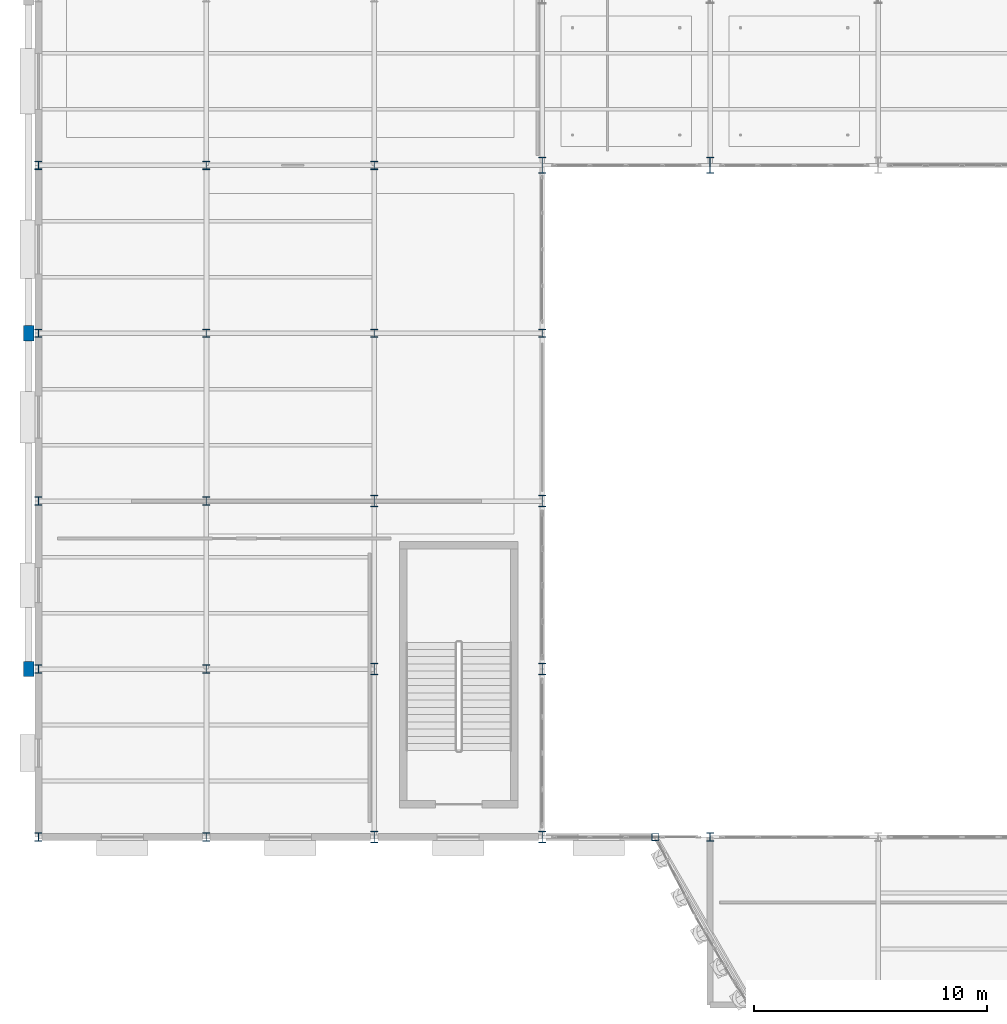
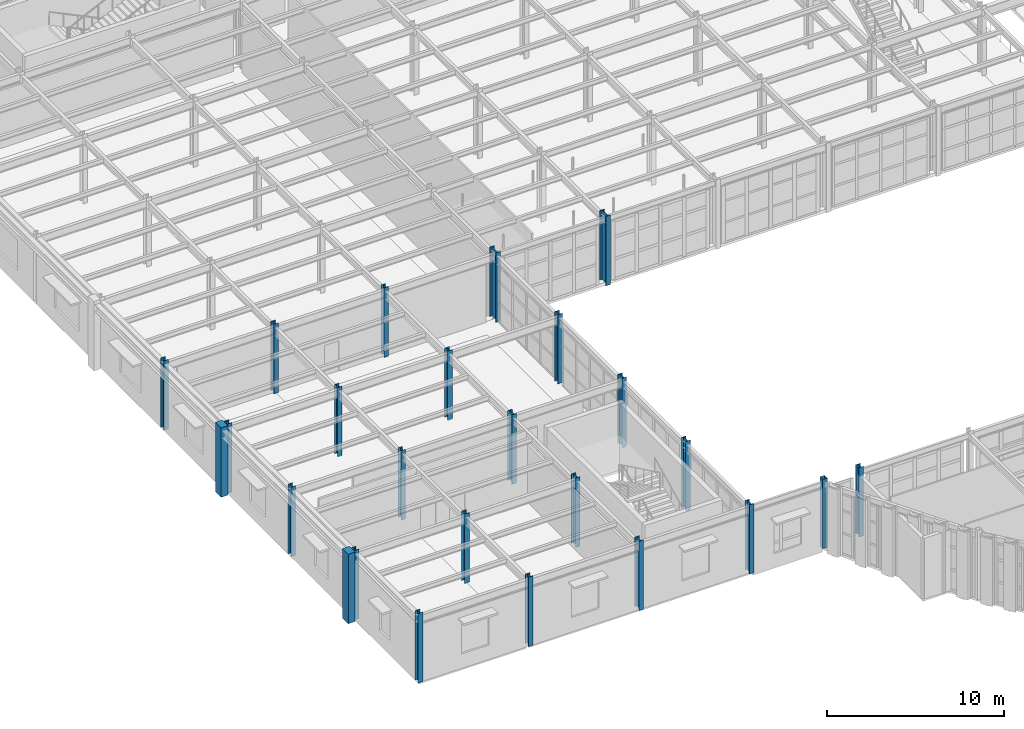
# One storey, part 2 of 121: 25 columns.
"""IFC4 building model written with IfcOpenShell, lengths in metres."""

from ifc_helpers import new_model, si_unit, direction, frame, origin, origin_2d, place, context, subcontext, project, spatial, rectangle, hollow_rectangle, i_section, extrude, material, material_profile, profile_set, type_object, element, save


model = new_model("IFC4")

# Units and contexts
model_context = context("Model", 3, precision=1e-05, world=origin(), true_north=direction((0.0, 1.0)))
body_context = subcontext(model_context, "Body", "Model", "MODEL_VIEW")
ifc_project = project(units=[si_unit("LENGTHUNIT", "METRE"), si_unit("AREAUNIT", "SQUARE_METRE"), si_unit("VOLUMEUNIT", "CUBIC_METRE"), si_unit("PLANEANGLEUNIT", "RADIAN"), si_unit("MASSUNIT", "GRAM", prefix="KILO")], contexts=[model_context])

# Site, building, storey
site_placement = place(None, origin())
site = spatial("IfcSite", under=ifc_project, at=site_placement, CompositionType="ELEMENT")
building_placement = place(site_placement, origin())
building = spatial("IfcBuilding", under=site, at=building_placement, Name="Solvadek Multi-Sports Hall", CompositionType="ELEMENT")
storey_placement = place(building_placement, frame((0.0, 0.0, 4.800048828125)))
storey = spatial("IfcBuildingStorey", under=building, at=storey_placement, Name="L01", CompositionType="ELEMENT", Elevation=4.800048828125)

# Columns
ifc_material_1 = material(Name="Steel E350 (350 MPa)", Category="steel")
ifc_material_profile_1 = material_profile(ifc_material_1, hollow_rectangle(XDim=0.300048828125, YDim=0.300048828125, WallThickness=0.012451171875, at=origin_2d()), Name="SHS 300x300x12.5")
ifc_profile_set_1 = profile_set([ifc_material_profile_1], Name="Steel E350 (350 MPa)")
column_type_1 = type_object("IfcColumnType", Name="STR-COL-SHS300", PredefinedType="COLUMN", material=ifc_profile_set_1)
column_placement = place(storey_placement, frame((26.45458984375, 20.39990234375, 0.0), z_axis=(0.0, 0.0, 1.0), x_axis=(1.0, 0.0, 0.0)))
element("IfcColumn", 1, at=column_placement, inside=storey, type_object=column_type_1, Name="L01 Column C-10 #266", PredefinedType="COLUMN", context=body_context, shape_type="SweptSolid", body=[
    extrude(hollow_rectangle(XDim=0.300048828125, YDim=0.300048828125, WallThickness=0.012451171875, at=origin_2d()), origin(), (0.0, 0.0, 1.0), 4.800048828125),
])
ifc_material_profile_2 = material_profile(ifc_material_1, i_section(OverallWidth=0.300048828125, OverallDepth=0.360107421875, WebThickness=0.012451171875, FlangeThickness=0.0224609375, at=origin_2d()), Name="WPB 360")
ifc_profile_set_2 = profile_set([ifc_material_profile_2], Name="Steel E350 (350 MPa)")
column_type_2 = type_object("IfcColumnType", Name="STR-COL-WPB360", PredefinedType="COLUMN", material=ifc_profile_set_2)
for number, where, z_axis, x_axis, name in (
    (2, (0.0, 20.39990234375, 0.0), (0.0, 0.0, 1.0), (1.0, 0.0, 0.0), "L01 Column C-08 #1"),
    (3, (0.0, 27.60009765625, 0.0), (0.0, 0.0, 1.0), (1.0, 0.0, 0.0), "L01 Column C-08 #2"),
    (4, (0.0, 34.800048828125, 0.0), (0.0, 0.0, 1.0), (1.0, 0.0, 0.0), "L01 Column C-08 #3"),
    (5, (0.0, 42.0, 0.0), (0.0, 0.0, 1.0), (1.0, 0.0, 0.0), "L01 Column C-08 #4"),
    (6, (0.0, 49.199951171875, 0.0), (0.0, 0.0, 1.0), (1.0, 0.0, 0.0), "L01 Column C-08 #5"),
    (7, (7.199951171875, 20.39990234375, 0.0), (0.0, 0.0, 1.0), (1.0, 0.0, 0.0), "L01 Column C-08 #14"),
    (8, (7.199951171875, 27.60009765625, 0.0), (0.0, 0.0, 1.0), (1.0, 0.0, 0.0), "L01 Column C-08 #15"),
    (9, (7.199951171875, 34.800048828125, 0.0), (0.0, 0.0, 1.0), (1.0, 0.0, 0.0), "L01 Column C-08 #16"),
    (10, (7.199951171875, 42.0, 0.0), (0.0, 0.0, 1.0), (1.0, 0.0, 0.0), "L01 Column C-08 #17"),
    (11, (7.199951171875, 49.199951171875, 0.0), (0.0, 0.0, 1.0), (1.0, 0.0, 0.0), "L01 Column C-08 #18"),
    (12, (14.39990234375, 42.0, 0.0), (0.0, 0.0, 1.0), (1.0, 0.0, 0.0), "L01 Column C-08 #30"),
    (13, (14.39990234375, 49.199951171875, 0.0), (0.0, 0.0, 1.0), (1.0, 0.0, 0.0), "L01 Column C-08 #31"),
    (14, (21.60009765625, 42.0, 0.0), (0.0, 0.0, 1.0), (1.0, 0.0, 0.0), "L01 Column C-08 #43"),
    (15, (28.800048828125, 20.39990234375, 0.0), (0.0, 0.0, 1.0), (1.0, 0.0, 0.0), "L01 Column C-08 #53"),
):
    element("IfcColumn", number, at=place(storey_placement, frame(where, z_axis=z_axis, x_axis=x_axis)), inside=storey, type_object=column_type_2, Name=name, PredefinedType="COLUMN", context=body_context, shape_type="SweptSolid", body=[
        extrude(i_section(OverallWidth=0.300048828125, OverallDepth=0.360107421875, WebThickness=0.012451171875, FlangeThickness=0.0224609375, at=origin_2d()), origin(), (0.0, 0.0, 1.0), 4.800048828125),
    ])
ifc_material_profile_3 = material_profile(ifc_material_1, i_section(OverallWidth=0.300048828125, OverallDepth=0.5, WebThickness=0.014404296875, FlangeThickness=0.028076171875, at=origin_2d()), Name="WPB 500")
ifc_profile_set_3 = profile_set([ifc_material_profile_3], Name="Steel E350 (350 MPa)")
column_type_3 = type_object("IfcColumnType", Name="STR-COL-WPB500", PredefinedType="COLUMN", material=ifc_profile_set_3)
for number, where, z_axis, x_axis, name in (
    (16, (14.39990234375, 20.39990234375, 0.0), (0.0, 0.0, 1.0), (1.0, 0.0, 0.0), "L01 Column C-05 #27"),
    (17, (14.39990234375, 27.60009765625, 0.0), (0.0, 0.0, 1.0), (1.0, 0.0, 0.0), "L01 Column C-05 #28"),
    (18, (14.39990234375, 34.800048828125, 0.0), (0.0, 0.0, 1.0), (1.0, 0.0, 0.0), "L01 Column C-05 #29"),
    (19, (21.60009765625, 20.39990234375, 0.0), (0.0, 0.0, 1.0), (1.0, 0.0, 0.0), "L01 Column C-05 #40"),
    (20, (21.60009765625, 27.60009765625, 0.0), (0.0, 0.0, 1.0), (1.0, 0.0, 0.0), "L01 Column C-05 #41"),
    (21, (21.60009765625, 34.800048828125, 0.0), (0.0, 0.0, 1.0), (1.0, 0.0, 0.0), "L01 Column C-05 #42"),
):
    element("IfcColumn", number, at=place(storey_placement, frame(where, z_axis=z_axis, x_axis=x_axis)), inside=storey, type_object=column_type_3, Name=name, PredefinedType="COLUMN", context=body_context, shape_type="SweptSolid", body=[
        extrude(i_section(OverallWidth=0.300048828125, OverallDepth=0.5, WebThickness=0.014404296875, FlangeThickness=0.028076171875, at=origin_2d()), origin(), (0.0, 0.0, 1.0), 4.800048828125),
    ])
ifc_material_profile_4 = material_profile(ifc_material_1, i_section(OverallWidth=0.300048828125, OverallDepth=0.699951171875, WebThickness=0.01708984375, FlangeThickness=0.031982421875, at=origin_2d()), Name="WPB 700")
ifc_profile_set_4 = profile_set([ifc_material_profile_4], Name="Steel E350 (350 MPa)")
column_type_4 = type_object("IfcColumnType", Name="STR-COL-WPB700", PredefinedType="COLUMN", material=ifc_profile_set_4)
for number, where, z_axis, x_axis, name in (
    (22, (21.60009765625, 49.199951171875, 0.0), (0.0, 0.0, 1.0), (1.0, 0.0, 0.0), "L01 Column C-02 #44"),
    (23, (28.800048828125, 49.199951171875, 0.0), (0.0, 0.0, 1.0), (1.0, 0.0, 0.0), "L01 Column C-02 #57"),
):
    element("IfcColumn", number, at=place(storey_placement, frame(where, z_axis=z_axis, x_axis=x_axis)), inside=storey, type_object=column_type_4, Name=name, PredefinedType="COLUMN", context=body_context, shape_type="SweptSolid", body=[
        extrude(i_section(OverallWidth=0.300048828125, OverallDepth=0.699951171875, WebThickness=0.01708984375, FlangeThickness=0.031982421875, at=origin_2d()), origin(), (0.0, 0.0, 1.0), 4.800048828125),
    ])
ifc_material_2 = material(Name="Precast concrete M40", Category="concrete")
ifc_material_profile_5 = material_profile(ifc_material_2, rectangle(XDim=0.449951171875, YDim=0.64990234375, at=origin_2d()), Name="RC PILASTER 650x450")
ifc_profile_set_5 = profile_set([ifc_material_profile_5], Name="Precast concrete M40")
column_type_5 = type_object("IfcColumnType", Name="STR-PIL-650X450", PredefinedType="PILASTER", material=ifc_profile_set_5)
for number, where, z_axis, x_axis, name in (
    (24, (-0.419921875, 27.60009765625, 0.0), (0.0, 0.0, 1.0), (1.0, 0.0, 0.0), "L01 Column CP-01 #312"),
    (25, (-0.419921875, 42.0, 0.0), (0.0, 0.0, 1.0), (1.0, 0.0, 0.0), "L01 Column CP-01 #313"),
):
    element("IfcColumn", number, at=place(storey_placement, frame(where, z_axis=z_axis, x_axis=x_axis)), inside=storey, type_object=column_type_5, Name=name, PredefinedType="PILASTER", context=body_context, shape_type="SweptSolid", body=[
        extrude(rectangle(XDim=0.449951171875, YDim=0.64990234375, at=origin_2d()), origin(), (0.0, 0.0, 1.0), 4.800048828125),
    ])

save(model, "model.ifc")
